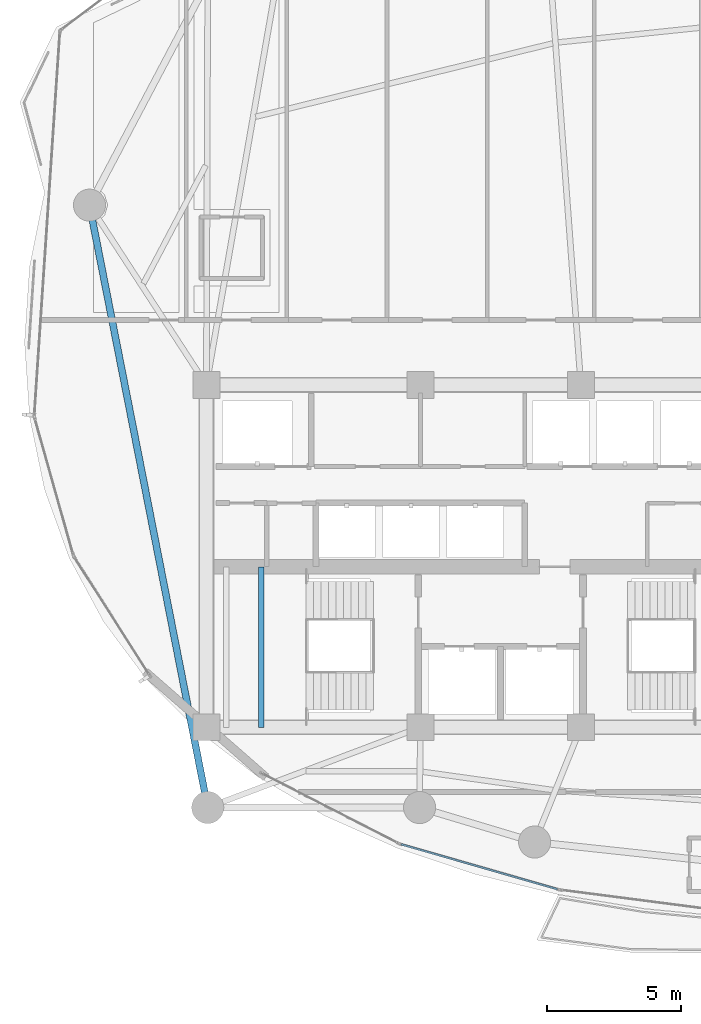
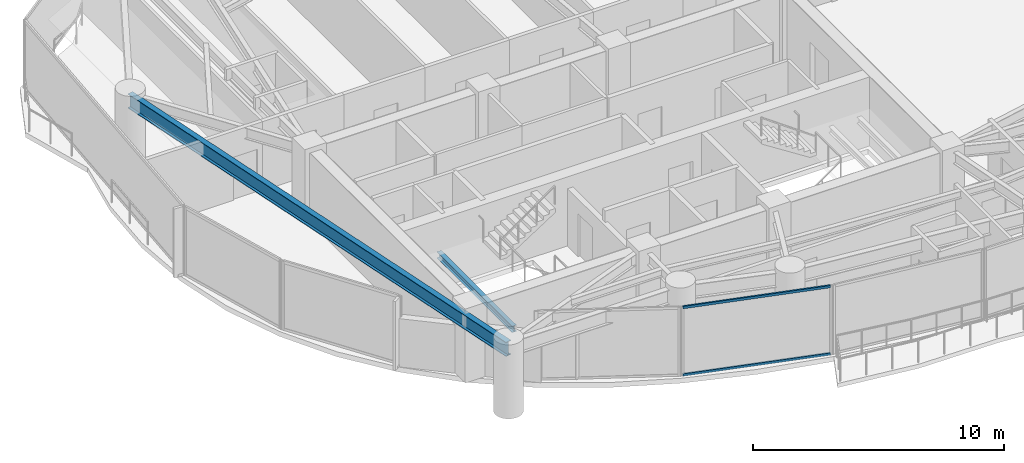
# One storey, part 4 of 31: 2 beams, 2 members, 1 element without a shape of its own.
"""IFC4 building model written with IfcOpenShell, lengths in metres."""

from ifc_helpers import new_model, si_unit, direction, frame, origin, origin_2d, place, context, subcontext, project, spatial, hollow_rectangle, i_section, extrude, material, layer, layer_set, material_profile, profile_set, type_object, element, aggregate, save


model = new_model("IFC4")

# Units and contexts
model_context = context("Model", 3, precision=1e-05, world=origin(), true_north=direction((0.0, 1.0)))
body_context = subcontext(model_context, "Body", "Model", "MODEL_VIEW")
ifc_project = project(units=[si_unit("LENGTHUNIT", "METRE"), si_unit("AREAUNIT", "SQUARE_METRE"), si_unit("VOLUMEUNIT", "CUBIC_METRE"), si_unit("PLANEANGLEUNIT", "RADIAN"), si_unit("MASSUNIT", "GRAM", prefix="KILO")], contexts=[model_context])

# Site, building, storey
site_placement = place(None, origin())
site = spatial("IfcSite", under=ifc_project, at=site_placement, CompositionType="ELEMENT")
building_placement = place(site_placement, origin())
building = spatial("IfcBuilding", under=site, at=building_placement, Name="Kazevale Care Tower and Concert Hall", CompositionType="ELEMENT")
storey_placement = place(building_placement, frame((0.0, 0.0, 124.199951171875)))
storey = spatial("IfcBuildingStorey", under=building, at=storey_placement, Name="L32", CompositionType="ELEMENT", Elevation=124.199951171875)

# Curtain wall, members
ifc_material_1 = material(Name="Aluminium 6063-T6 and Low-E Glass", Category="aluminium")
ifc_layer = layer(ifc_material_1, 0.179931640625)
ifc_layer_set = layer_set([ifc_layer], Name="Aluminium 6063-T6 and Low-E Glass")
curtain_wall_type = type_object("IfcCurtainWallType", Name="Sheltered Concave Balcony Curtain Wall CW-5", PredefinedType="NOTDEFINED", material=ifc_layer_set)
curtain_wall_placement = place(storey_placement, origin())
curtain_wall = element("IfcCurtainWall", 1, at=curtain_wall_placement, inside=storey, type_object=curtain_wall_type, Name="cw:L32:f08", PredefinedType="NOTDEFINED")
ifc_material_2 = material(Name="Aluminium 6063-T6", Category="aluminium")
ifc_material_profile_1 = material_profile(ifc_material_2, hollow_rectangle(XDim=0.074951171875, YDim=0.1201171875, WallThickness=0.00390625, at=origin_2d()), Name="ALU75x120x4")
ifc_profile_set_1 = profile_set([ifc_material_profile_1], Name="Aluminium 6063-T6")
member_type = type_object("IfcMemberType", Name="CW-5 Transom ALU75x120x4", PredefinedType="USERDEFINED", material=ifc_profile_set_1)
member_1_placement = place(storey_placement, frame((35.121826171875, 17.545654296875, 0.03759765625), z_axis=(-0.961067703236, 0.276312992451, 0.0), x_axis=(-0.276312992451, -0.961067703236, 0.0)))
member_1 = element("IfcMember", 2, at=member_1_placement, type_object=member_type, Name="CW-5 transom 1.1", ObjectType="TRANSOM", PredefinedType="USERDEFINED", context=body_context, shape_type="SweptSolid", body=[
    extrude(hollow_rectangle(XDim=0.074951171875, YDim=0.1201171875, WallThickness=0.00390625, at=origin_2d()), origin(), (0.0, 0.0, 1.0), 6.075439453125),
])
member_2_placement = place(storey_placement, frame((35.121826171875, 17.545654296875, 3.322509765625), z_axis=(-0.961067703236, 0.276312992451, 0.0), x_axis=(-0.276312992451, -0.961067703236, 0.0)))
member_2 = element("IfcMember", 3, at=member_2_placement, type_object=member_type, Name="CW-5 transom 1.2", ObjectType="TRANSOM", PredefinedType="USERDEFINED", context=body_context, shape_type="SweptSolid", body=[
    extrude(hollow_rectangle(XDim=0.074951171875, YDim=0.1201171875, WallThickness=0.00390625, at=origin_2d()), origin(), (0.0, 0.0, 1.0), 6.075439453125),
])
aggregate(curtain_wall, [member_1, member_2])

# Beams
ifc_material_3 = material(Name="Steel ASTM A572 Gr 50", Category="steel")
ifc_material_profile_2 = material_profile(ifc_material_3, i_section(OverallWidth=0.202880859375, OverallDepth=0.302978515625, WebThickness=0.007568359375, FlangeThickness=0.01318359375, at=origin_2d()), Name="W310x60")
ifc_profile_set_2 = profile_set([ifc_material_profile_2], Name="Steel ASTM A572 Gr 50")
beam_type_1 = type_object("IfcBeamType", Name="Stair & Balcony Trimmer W310x60", PredefinedType="BEAM", material=ifc_profile_set_2)
beam_1_placement = place(storey_placement, frame((24.050048828125, 23.60009765625, 1.448486328125), z_axis=(0.0, 1.0, 0.0), x_axis=(-1.0, 0.0, 0.0)))
element("IfcBeam", 4, at=beam_1_placement, inside=storey, type_object=beam_type_1, Name="beam:L32:sttrim:ST1b", PredefinedType="BEAM", context=body_context, shape_type="SweptSolid", body=[
    extrude(i_section(OverallWidth=0.202880859375, OverallDepth=0.302978515625, WebThickness=0.007568359375, FlangeThickness=0.01318359375, at=origin_2d()), origin(), (0.0, 0.0, 1.0), 6.0),
])
ifc_material_profile_3 = material_profile(ifc_material_3, i_section(OverallWidth=0.256103515625, OverallDepth=0.693115234375, WebThickness=0.014404296875, FlangeThickness=0.023681640625, at=origin_2d()), Name="W690x170")
ifc_profile_set_3 = profile_set([ifc_material_profile_3], Name="Steel ASTM A572 Gr 50")
beam_type_2 = type_object("IfcBeamType", Name="Waist Ring Beam W690x170", PredefinedType="BEAM", material=ifc_profile_set_3)
beam_2_placement = place(storey_placement, frame((17.6298828125, 43.1201171875, 3.013427734375), z_axis=(0.192602267784, -0.9812769061, 0.0), x_axis=(0.9812769061, 0.192602267784, 0.0)))
element("IfcBeam", 5, at=beam_2_placement, inside=storey, type_object=beam_type_2, Name="beam:L32:ring:09", PredefinedType="BEAM", context=body_context, shape_type="SweptSolid", body=[
    extrude(i_section(OverallWidth=0.256103515625, OverallDepth=0.693115234375, WebThickness=0.014404296875, FlangeThickness=0.023681640625, at=origin_2d()), origin(), (0.0, 0.0, 1.0), 22.94970703125),
])

save(model, "model.ifc")
